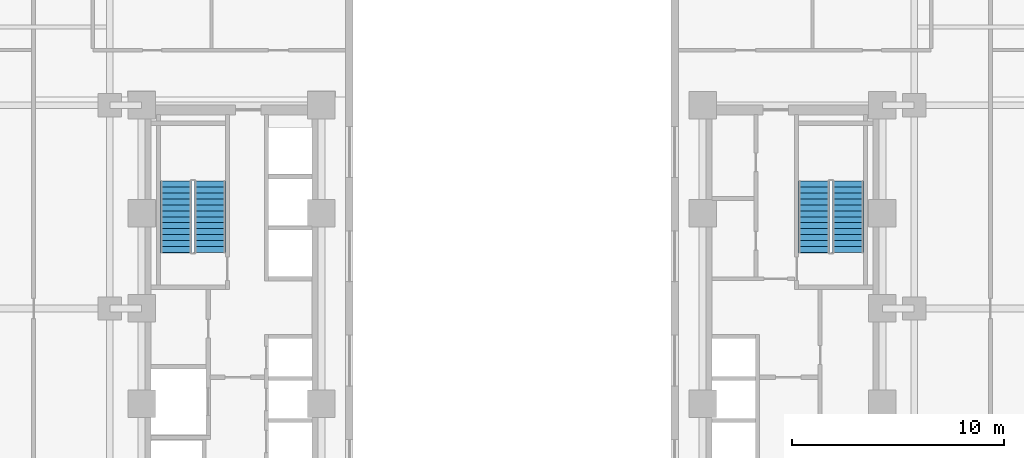
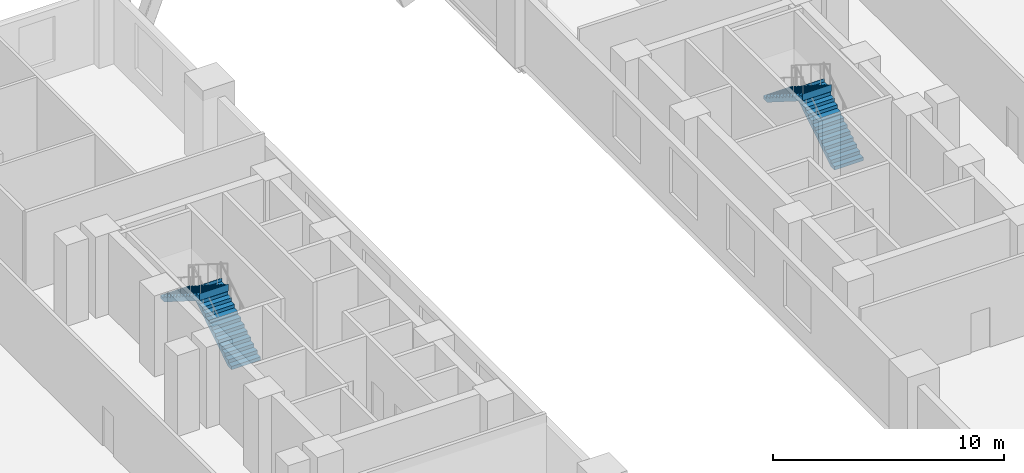
# One storey, part 7 of 15: 4 stair flights, 2 elements without a shape of their own.
"""IFC4 building model written with IfcOpenShell, lengths in metres."""

from ifc_helpers import new_model, si_unit, direction, frame, origin, place, context, subcontext, project, spatial, polyline, outline, extrude, material, type_object, element, aggregate, save


model = new_model("IFC4")

# Units and contexts
model_context = context("Model", 3, precision=1e-05, world=origin(), true_north=direction((0.0, 1.0)))
body_context = subcontext(model_context, "Body", "Model", "MODEL_VIEW")
ifc_project = project(units=[si_unit("LENGTHUNIT", "METRE"), si_unit("AREAUNIT", "SQUARE_METRE"), si_unit("VOLUMEUNIT", "CUBIC_METRE"), si_unit("PLANEANGLEUNIT", "RADIAN"), si_unit("MASSUNIT", "GRAM", prefix="KILO")], contexts=[model_context])

# Site, building, storey
site_placement = place(None, origin())
site = spatial("IfcSite", under=ifc_project, at=site_placement, CompositionType="ELEMENT")
building_placement = place(site_placement, origin())
building = spatial("IfcBuilding", under=site, at=building_placement, Name="Nuvemarco Arch Tower", CompositionType="ELEMENT")
storey_placement = place(building_placement, frame((0.0, 0.0, 9.199951171875)))
storey = spatial("IfcBuildingStorey", under=building, at=storey_placement, Name="L02", CompositionType="ELEMENT", Elevation=9.199951171875)

# Stair, stair flights
ifc_material = material(Name="Precast concrete C45/55", Category="concrete")
stair_type = type_object("IfcStairType", Name="ST-CORE-26R", PredefinedType="HALF_TURN_STAIR", material=ifc_material)
stair_1_placement = place(storey_placement, origin())
stair_1 = element("IfcStair", 1, at=stair_1_placement, inside=storey, type_object=stair_type, Name="L02 Protected Exit Stair ST-1", PredefinedType="HALF_TURN_STAIR")
stair_flight_type = type_object("IfcStairFlightType", Name="SF-CORE-26R", PredefinedType="STRAIGHT", material=ifc_material)
stair_flight_1_placement = place(storey_placement, frame((-14.264892578125, 2.64990234375, 0.0), z_axis=(0.0, 0.0, 1.0), x_axis=(0.0, 1.0, 0.0)))
stair_flight_1 = element("IfcStairFlight", 2, at=stair_flight_1_placement, type_object=stair_flight_type, Name="ST-26R flight 1", NumberOfRisers=13, NumberOfTreads=12, PredefinedType="STRAIGHT", RiserHeight=0.176923077, TreadLength=0.28, context=body_context, shape_type="SweptSolid", body=[
    extrude(outline(polyline([(0.0, 0.0), (0.0, 0.177001953125), (0.280029296875, 0.177001953125), (0.280029296875, 0.353759765625), (0.56005859375, 0.353759765625), (0.56005859375, 0.53076171875), (0.840087890625, 0.53076171875), (0.840087890625, 0.707763671875), (1.1201171875, 0.707763671875), (1.1201171875, 0.884521484375), (1.39990234375, 0.884521484375), (1.39990234375, 1.0615234375), (1.679931640625, 1.0615234375), (1.679931640625, 1.238525390625), (1.9599609375, 1.238525390625), (1.9599609375, 1.415283203125), (2.239990234375, 1.415283203125), (2.239990234375, 1.59228515625), (2.52001953125, 1.59228515625), (2.52001953125, 1.769287109375), (2.800048828125, 1.769287109375), (2.800048828125, 1.946044921875), (3.080078125, 1.946044921875), (3.080078125, 2.123046875), (3.360107421875, 2.123046875), (3.360107421875, 2.300048828125), (3.3798828125, 2.300048828125), (3.3798828125, 1.933837890625), (0.3193359375, 0.0), (0.0, 0.0)])), frame((0.0, 0.72509765625, 0.0), z_axis=(0.0, -1.0, 0.0), x_axis=(1.0, 0.0, 0.0)), (0.0, 0.0, 1.0), 1.449951171875),
])
stair_flight_2_placement = place(storey_placement, frame((-15.875, 6.010009765625, 2.300048828125), z_axis=(0.0, 0.0, 1.0), x_axis=(0.0, -1.0, 0.0)))
stair_flight_2 = element("IfcStairFlight", 3, at=stair_flight_2_placement, type_object=stair_flight_type, Name="ST-26R flight 2", NumberOfRisers=13, NumberOfTreads=12, PredefinedType="STRAIGHT", RiserHeight=0.176923077, TreadLength=0.28, context=body_context, shape_type="SweptSolid", body=[
    extrude(outline(polyline([(0.0, 0.0), (0.0, 0.177001953125), (0.280029296875, 0.177001953125), (0.280029296875, 0.353759765625), (0.56005859375, 0.353759765625), (0.56005859375, 0.53076171875), (0.840087890625, 0.53076171875), (0.840087890625, 0.707763671875), (1.1201171875, 0.707763671875), (1.1201171875, 0.884521484375), (1.39990234375, 0.884521484375), (1.39990234375, 1.0615234375), (1.679931640625, 1.0615234375), (1.679931640625, 1.238525390625), (1.9599609375, 1.238525390625), (1.9599609375, 1.415283203125), (2.239990234375, 1.415283203125), (2.239990234375, 1.59228515625), (2.52001953125, 1.59228515625), (2.52001953125, 1.769287109375), (2.800048828125, 1.769287109375), (2.800048828125, 1.946044921875), (3.080078125, 1.946044921875), (3.080078125, 2.123046875), (3.360107421875, 2.123046875), (3.360107421875, 2.300048828125), (3.3798828125, 2.300048828125), (3.3798828125, 1.933837890625), (0.3193359375, 0.0), (0.0, 0.0)])), frame((0.0, 0.72509765625, 0.0), z_axis=(0.0, -1.0, 0.0), x_axis=(1.0, 0.0, 0.0)), (0.0, 0.0, 1.0), 1.449951171875),
])
aggregate(stair_1, [stair_flight_1, stair_flight_2])

stair_2_placement = place(storey_placement, origin())
stair_2 = element("IfcStair", 4, at=stair_2_placement, inside=storey, type_object=stair_type, Name="L02 Protected Exit Stair ST-2", PredefinedType="HALF_TURN_STAIR")
stair_flight_3_placement = place(storey_placement, frame((15.875, 2.64990234375, 0.0), z_axis=(0.0, 0.0, 1.0), x_axis=(0.0, 1.0, 0.0)))
stair_flight_3 = element("IfcStairFlight", 5, at=stair_flight_3_placement, type_object=stair_flight_type, Name="ST-26R flight 1", NumberOfRisers=13, NumberOfTreads=12, PredefinedType="STRAIGHT", RiserHeight=0.176923077, TreadLength=0.28, context=body_context, shape_type="SweptSolid", body=[
    extrude(outline(polyline([(0.0, 0.0), (0.0, 0.177001953125), (0.280029296875, 0.177001953125), (0.280029296875, 0.353759765625), (0.56005859375, 0.353759765625), (0.56005859375, 0.53076171875), (0.840087890625, 0.53076171875), (0.840087890625, 0.707763671875), (1.1201171875, 0.707763671875), (1.1201171875, 0.884521484375), (1.39990234375, 0.884521484375), (1.39990234375, 1.0615234375), (1.679931640625, 1.0615234375), (1.679931640625, 1.238525390625), (1.9599609375, 1.238525390625), (1.9599609375, 1.415283203125), (2.239990234375, 1.415283203125), (2.239990234375, 1.59228515625), (2.52001953125, 1.59228515625), (2.52001953125, 1.769287109375), (2.800048828125, 1.769287109375), (2.800048828125, 1.946044921875), (3.080078125, 1.946044921875), (3.080078125, 2.123046875), (3.360107421875, 2.123046875), (3.360107421875, 2.300048828125), (3.3798828125, 2.300048828125), (3.3798828125, 1.933837890625), (0.3193359375, 0.0), (0.0, 0.0)])), frame((0.0, 0.72509765625, 0.0), z_axis=(0.0, -1.0, 0.0), x_axis=(1.0, 0.0, 0.0)), (0.0, 0.0, 1.0), 1.449951171875),
])
stair_flight_4_placement = place(storey_placement, frame((14.264892578125, 6.010009765625, 2.300048828125), z_axis=(0.0, 0.0, 1.0), x_axis=(0.0, -1.0, 0.0)))
stair_flight_4 = element("IfcStairFlight", 6, at=stair_flight_4_placement, type_object=stair_flight_type, Name="ST-26R flight 2", NumberOfRisers=13, NumberOfTreads=12, PredefinedType="STRAIGHT", RiserHeight=0.176923077, TreadLength=0.28, context=body_context, shape_type="SweptSolid", body=[
    extrude(outline(polyline([(0.0, 0.0), (0.0, 0.177001953125), (0.280029296875, 0.177001953125), (0.280029296875, 0.353759765625), (0.56005859375, 0.353759765625), (0.56005859375, 0.53076171875), (0.840087890625, 0.53076171875), (0.840087890625, 0.707763671875), (1.1201171875, 0.707763671875), (1.1201171875, 0.884521484375), (1.39990234375, 0.884521484375), (1.39990234375, 1.0615234375), (1.679931640625, 1.0615234375), (1.679931640625, 1.238525390625), (1.9599609375, 1.238525390625), (1.9599609375, 1.415283203125), (2.239990234375, 1.415283203125), (2.239990234375, 1.59228515625), (2.52001953125, 1.59228515625), (2.52001953125, 1.769287109375), (2.800048828125, 1.769287109375), (2.800048828125, 1.946044921875), (3.080078125, 1.946044921875), (3.080078125, 2.123046875), (3.360107421875, 2.123046875), (3.360107421875, 2.300048828125), (3.3798828125, 2.300048828125), (3.3798828125, 1.933837890625), (0.3193359375, 0.0), (0.0, 0.0)])), frame((0.0, 0.72509765625, 0.0), z_axis=(0.0, -1.0, 0.0), x_axis=(1.0, 0.0, 0.0)), (0.0, 0.0, 1.0), 1.449951171875),
])
aggregate(stair_2, [stair_flight_3, stair_flight_4])

save(model, "model.ifc")
